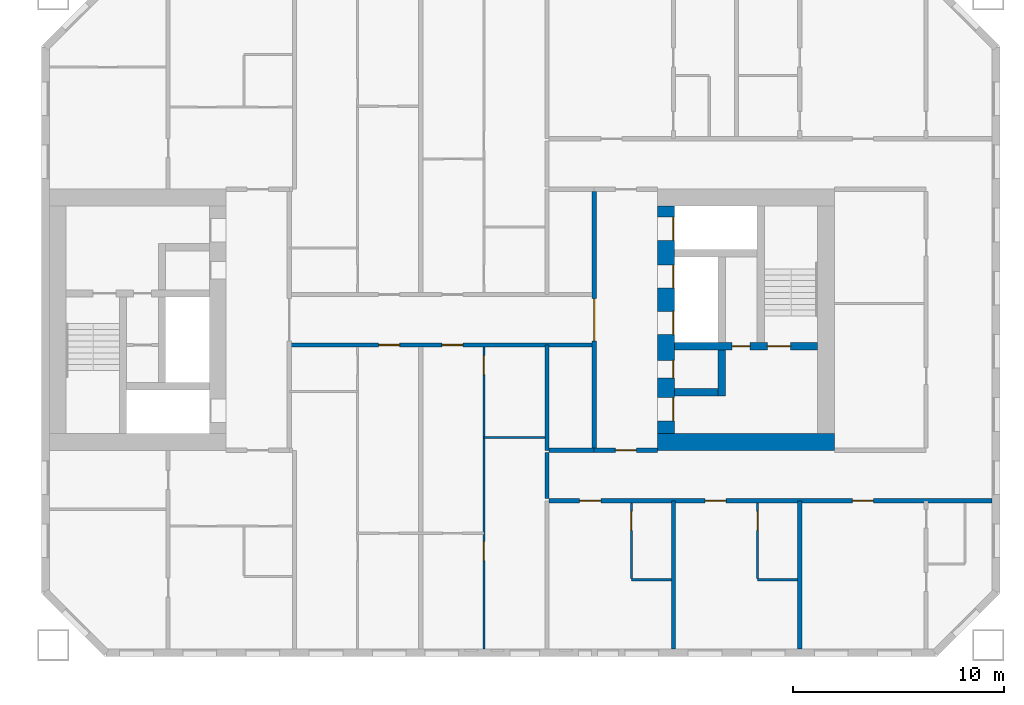
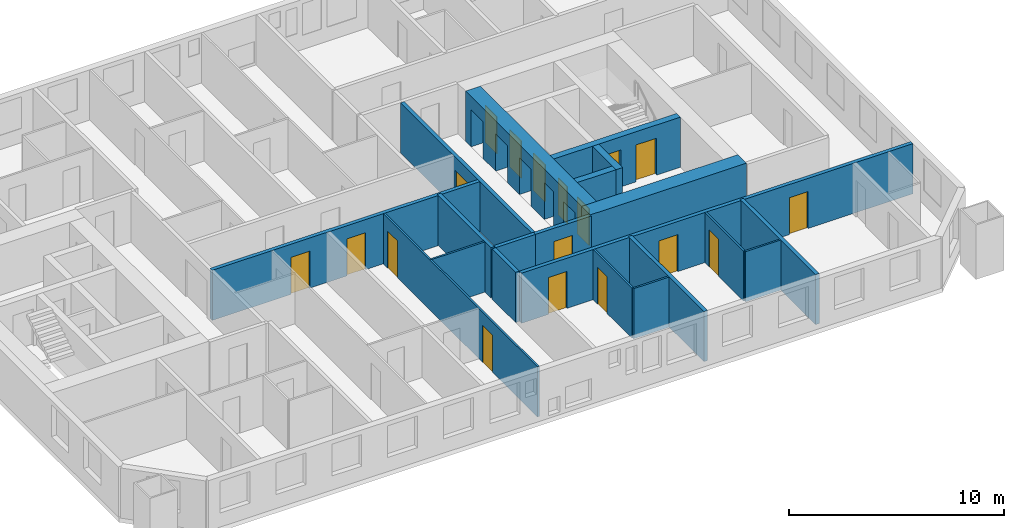
# One storey, part 11 of 16: 20 walls, 18 doors, 18 openings.
"""IFC4 building model written with IfcOpenShell, lengths in metres."""

import ifcopenshell
import ifcopenshell.guid

model = None  # the IFC model being written
_history = None  # IfcOwnerHistory: only IFC2X3 demands one
_inside = {}  # id of a spatial element -> (the spatial element, [elements in it])
_under = {}  # id of a project, library or spatial element -> (it, [spatial elements below it])
_declared = {}  # id of a project -> (the project, [libraries it declares])
_typed = {}  # id of a type object -> (the type object, [elements of that type])
_made_of = {}  # id of a material, layer set ... -> (it, [elements and type objects made of it])


def new_model(schema):
    """Start an empty IFC model of exactly this schema.

    Asked for "IFC4X3", IfcOpenShell would pick the latest addendum, in which some entities
    have other attributes; the version numbers below select the first issue.
    IFC2X3 requires an IfcOwnerHistory on every rooted entity: one is made here for all.
    """
    global model, _history
    if schema == "IFC4X3":
        model = ifcopenshell.file(schema_version=(4, 3, 0, 0))
    else:
        model = ifcopenshell.file(schema=schema)
    _inside.clear()
    _under.clear()
    _declared.clear()
    _typed.clear()
    _made_of.clear()
    _history = None
    if model.schema == "IFC2X3":
        org = make("IfcOrganization", Name="unknown")
        user = make(
            "IfcPersonAndOrganization",
            ThePerson=make("IfcPerson", FamilyName="unknown"),
            TheOrganization=org,
        )
        app = make(
            "IfcApplication",
            ApplicationDeveloper=org,
            Version="unknown",
            ApplicationFullName="unknown",
            ApplicationIdentifier="unknown",
        )
        _history = make(
            "IfcOwnerHistory",
            OwningUser=user,
            OwningApplication=app,
            ChangeAction="ADDED",
            CreationDate=0,
        )
    return model


def make(cls, **values):
    """One entity of the class cls with the attributes given. An attribute that is None is left unset."""
    return model.create_entity(
        cls, **{name: value for name, value in values.items() if value is not None}
    )


def rooted(cls, **values):
    """An entity with a GlobalId (a new one), such as an element, a storey or a relation."""
    return make(cls, GlobalId=ifcopenshell.guid.new(), OwnerHistory=_history, **values)


def si_unit(unit_type, name, prefix=None):
    """IfcSIUnit, for example si_unit("LENGTHUNIT", "METRE", prefix="MILLI")."""
    return make("IfcSIUnit", UnitType=unit_type, Prefix=prefix, Name=name)


def assignment(units):
    """IfcUnitAssignment: the units of a project."""
    return None if units is None else make("IfcUnitAssignment", Units=units)


def point(xyz):
    """IfcCartesianPoint."""
    return None if xyz is None else make("IfcCartesianPoint", Coordinates=xyz)


def direction(xyz):
    """IfcDirection."""
    return None if xyz is None else make("IfcDirection", DirectionRatios=xyz)


def frame(location, z_axis=None, x_axis=None):
    """IfcAxis2Placement3D, a coordinate frame: its origin and axes. An axis left out is left unset."""
    return make(
        "IfcAxis2Placement3D",
        Location=point(location),
        Axis=direction(z_axis),
        RefDirection=direction(x_axis),
    )


def frame_2d(location, x_axis=None):
    """IfcAxis2Placement2D, a coordinate frame in the plane: its origin and x axis."""
    return make(
        "IfcAxis2Placement2D", Location=point(location), RefDirection=direction(x_axis)
    )


def origin():
    """The frame at (0, 0, 0) with its axes left unset."""
    return frame((0.0, 0.0, 0.0))


def place(relative_to, where):
    """IfcLocalPlacement: puts the frame where relative to a parent placement (None: the world)."""
    return make(
        "IfcLocalPlacement", PlacementRelTo=relative_to, RelativePlacement=where
    )


def context(
    kind, dimensions, precision=None, world=None, true_north=None, identifier=None
):
    """IfcGeometricRepresentationContext, for example the 3D "Model" context."""
    return make(
        "IfcGeometricRepresentationContext",
        ContextIdentifier=identifier,
        ContextType=kind,
        CoordinateSpaceDimension=dimensions,
        Precision=precision,
        WorldCoordinateSystem=world,
        TrueNorth=true_north,
    )


def subcontext(parent, identifier, kind, view, scale=None):
    """IfcGeometricRepresentationSubContext, for example "Body" below "Model"."""
    return make(
        "IfcGeometricRepresentationSubContext",
        ContextIdentifier=identifier,
        ContextType=kind,
        ParentContext=parent,
        TargetScale=scale,
        TargetView=view,
    )


def project(units=None, contexts=None):
    """IfcProject with its units and contexts."""
    return rooted(
        "IfcProject",
        Name="project",
        RepresentationContexts=contexts,
        UnitsInContext=assignment(units),
    )


def spatial(cls, under=None, at=None, **own):
    """A site, building, storey or space (cls), placed at a placement, below another one or the project."""
    s = rooted(cls, ObjectPlacement=at, **own)
    if under is not None:
        _under.setdefault(under.id(), (under, []))[1].append(s)
    return s


def profile(cls, at=None, kind="AREA", **sizes):
    """A parametric profile (cls). Its sizes go by their IFC names, for example OverallWidth=200.0."""
    return make(cls, ProfileType=kind, Position=at, **sizes)


def rectangle(**sizes):
    """IfcRectangleProfileDef."""
    return profile("IfcRectangleProfileDef", **sizes)


def extrude(swept, where, along, depth):
    """IfcExtrudedAreaSolid: the profile swept, set in the frame where, extruded along a direction by depth."""
    return make(
        "IfcExtrudedAreaSolid",
        SweptArea=swept,
        Position=where,
        ExtrudedDirection=direction(along),
        Depth=depth,
    )


def shape(context_of_items, identifier, shape_type, items):
    """IfcShapeRepresentation: the items that make up one representation, for example the "Body"."""
    return make(
        "IfcShapeRepresentation",
        ContextOfItems=context_of_items,
        RepresentationIdentifier=identifier,
        RepresentationType=shape_type,
        Items=items,
    )


def material(Name=None, Category=None):
    """IfcMaterial."""
    return make("IfcMaterial", Name=Name, Category=Category)


def layer(
    of_material, thickness, ventilated=None, Name=None, Category=None, Priority=None
):
    """IfcMaterialLayer: one layer of a wall or slab, of a material (None: an air gap)."""
    return make(
        "IfcMaterialLayer",
        Material=of_material,
        LayerThickness=thickness,
        IsVentilated=ventilated,
        Name=Name,
        Category=Category,
        Priority=Priority,
    )


def layer_set(layers, Name=None):
    """IfcMaterialLayerSet."""
    return make("IfcMaterialLayerSet", MaterialLayers=layers, LayerSetName=Name)


def made_of(thing, what):
    """Note that an element or type object is made of a material, layer set ...; save() writes the relation."""
    if what is not None:
        _made_of.setdefault(what.id(), (what, []))[1].append(thing)
    return thing


def type_object(cls, material=None, **own):
    """A type object (cls), such as IfcWallType, which elements share."""
    return made_of(rooted(cls, **own), material)


def element(
    cls,
    number,
    at=None,
    inside=None,
    cuts=None,
    type_object=None,
    material=None,
    context=None,
    identifier="Body",
    shape_type=None,
    held_by="IfcProductDefinitionShape",
    body=None,
    shapes=None,
    **own,
):
    """One element of the class cls, such as IfcWall. Its Tag is "e" and its number.

    at: its placement. inside: the storey or other place that contains it. cuts: it is an
    opening in that element (IfcRelVoidsElement). A single representation is given by context,
    identifier, shape_type and body (its items); several are given by shapes. held_by: the class
    of the entity that holds the representations. save() writes the other relations.
    """
    e = rooted(cls, Tag="e%d" % number, ObjectPlacement=at, **own)
    if body is not None:
        shapes = [shape(context, identifier, shape_type, body)]
    if shapes is not None:
        e.Representation = make(held_by, Representations=shapes)
    if inside is not None:
        _inside.setdefault(inside.id(), (inside, []))[1].append(e)
    if cuts is not None:
        rooted(
            "IfcRelVoidsElement", RelatingBuildingElement=cuts, RelatedOpeningElement=e
        )
    if type_object is not None:
        _typed.setdefault(type_object.id(), (type_object, []))[1].append(e)
    return made_of(e, material)


def fill(opening, filler):
    """IfcRelFillsElement: the door or window that sits in an opening."""
    return rooted(
        "IfcRelFillsElement",
        RelatingOpeningElement=opening,
        RelatedBuildingElement=filler,
    )


def aggregate(whole, parts):
    """IfcRelAggregates: a whole, such as a stair, and the parts it consists of."""
    return rooted("IfcRelAggregates", RelatingObject=whole, RelatedObjects=parts)


def save(model, path):
    """Write the relations noted so far, then the file.

    IfcRelAggregates (storeys below a building ...), IfcRelContainedInSpatialStructure (elements
    in a storey), IfcRelDefinesByType, IfcRelAssociatesMaterial and IfcRelDeclares: one each for
    every whole, place, type object, material and project.
    """
    for whole, parts in _under.values():
        aggregate(whole, parts)
    for where, things in _inside.values():
        rooted(
            "IfcRelContainedInSpatialStructure",
            RelatedElements=things,
            RelatingStructure=where,
        )
    for kind, things in _typed.values():
        rooted("IfcRelDefinesByType", RelatedObjects=things, RelatingType=kind)
    for what, things in _made_of.values():
        rooted("IfcRelAssociatesMaterial", RelatedObjects=things, RelatingMaterial=what)
    for by, libraries in _declared.values():
        rooted("IfcRelDeclares", RelatingContext=by, RelatedDefinitions=libraries)
    model.write(path)


model = new_model("IFC4")

# Units and contexts
model_context = context("Model", 3, precision=1e-05, world=origin(), true_north=direction((0.0, 1.0)))
body_context = subcontext(model_context, "Body", "Model", "MODEL_VIEW")
ifc_project = project(units=[si_unit("LENGTHUNIT", "METRE"), si_unit("AREAUNIT", "SQUARE_METRE"), si_unit("VOLUMEUNIT", "CUBIC_METRE"), si_unit("PLANEANGLEUNIT", "RADIAN"), si_unit("MASSUNIT", "GRAM", prefix="KILO")], contexts=[model_context])

# Site, building, storey
site_placement = place(None, origin())
site = spatial("IfcSite", under=ifc_project, at=site_placement, CompositionType="ELEMENT")
building_placement = place(site_placement, origin())
building = spatial("IfcBuilding", under=site, at=building_placement, Name="Tuart Gate Housing", CompositionType="ELEMENT")
storey_placement = place(building_placement, frame((0.0, 0.0, 59.800048828125)))
storey = spatial("IfcBuildingStorey", under=building, at=storey_placement, Name="L16", CompositionType="ELEMENT", Elevation=59.800048828125)

# Wall, openings, doors
ifc_material_1 = material(Name="Concrete C60", Category="concrete")
ifc_layer_1 = layer(ifc_material_1, 0.35009765625)
ifc_layer_set_1 = layer_set([ifc_layer_1], Name="Core wall 350 C60")
wall_type_1 = type_object("IfcWallType", Name="Core wall 350 C60", PredefinedType="SHEAR", material=ifc_layer_set_1)
wall_1_placement = place(storey_placement, frame((161.0400390625, 68.75, 0.0), z_axis=(0.0, 0.0, 1.0), x_axis=(1.0, 0.0, 0.0)))
wall_1 = element("IfcWall", 1, at=wall_1_placement, inside=storey, type_object=wall_type_1, Name="Core wall BK.2", PredefinedType="SHEAR", context=body_context, shape_type="SweptSolid", body=[
    extrude(rectangle(XDim=6.800048828125, YDim=0.35009765625, at=frame_2d((3.39990234375, 0.0))), origin(), (0.0, 0.0, 1.0), 2.849853515625),
])
opening_1_placement = place(wall_1_placement, frame((4.425048828125, 0.0, 0.0)))
opening_1 = element("IfcOpeningElement", 2, at=opening_1_placement, cuts=wall_1, Name="Opening D813", PredefinedType="OPENING", context=body_context, shape_type="SweptSolid", body=[
    extrude(rectangle(XDim=1.10009765625, YDim=2.10009765625, at=frame_2d((0.550048828125, 1.050048828125))), frame((0.0, 0.18505859375, 0.0), z_axis=(0.0, -1.0, 0.0), x_axis=(1.0, 0.0, 0.0)), (0.0, 0.0, 1.0), 0.3701171875),
])
opening_2_placement = place(wall_1_placement, frame((2.75, 0.0, 0.0)))
opening_2 = element("IfcOpeningElement", 3, at=opening_2_placement, cuts=wall_1, Name="Opening D812", PredefinedType="OPENING", context=body_context, shape_type="SweptSolid", body=[
    extrude(rectangle(XDim=0.85009765625, YDim=2.10009765625, at=frame_2d((0.425048828125, 1.050048828125))), frame((0.0, 0.18505859375, 0.0), z_axis=(0.0, -1.0, 0.0), x_axis=(1.0, 0.0, 0.0)), (0.0, 0.0, 1.0), 0.3701171875),
])
ifc_material_2 = material(Name="Steel fire door", Category="steel")
door_type_1 = type_object("IfcDoorType", Name="Riser door 850 x 2100", OperationType="SINGLE_SWING_LEFT", PredefinedType="DOOR", material=ifc_material_2)
door_1_placement = place(opening_2_placement, origin())
door_1 = element("IfcDoor", 4, at=door_1_placement, inside=storey, type_object=door_type_1, Name="Service room door BK.W1", OperationType="SINGLE_SWING_LEFT", OverallHeight=2.10009765625, OverallWidth=0.85009765625, PredefinedType="DOOR", context=body_context, shape_type="SweptSolid", body=[
    extrude(rectangle(XDim=0.85009765625, YDim=2.10009765625, at=frame_2d((0.425048828125, 1.050048828125))), frame((0.0, 0.02490234375, 0.0), z_axis=(0.0, -1.0, 0.0), x_axis=(1.0, 0.0, 0.0)), (0.0, 0.0, 1.0), 0.050048828125),
])
fill(opening_2, door_1)
ifc_material_3 = material(Name="Steel fire door", Category="steel")
door_type_2 = type_object("IfcDoorType", Name="Stair door 1100 x 2100", OperationType="SINGLE_SWING_LEFT", PredefinedType="DOOR", material=ifc_material_3)
door_2_placement = place(opening_1_placement, origin())
door_2 = element("IfcDoor", 5, at=door_2_placement, inside=storey, type_object=door_type_2, Name="Stair door BK.SD", OperationType="SINGLE_SWING_LEFT", OverallHeight=2.10009765625, OverallWidth=1.10009765625, PredefinedType="DOOR", context=body_context, shape_type="SweptSolid", body=[
    extrude(rectangle(XDim=1.10009765625, YDim=2.10009765625, at=frame_2d((0.550048828125, 1.050048828125))), frame((0.0, 0.02490234375, 0.0), z_axis=(0.0, -1.0, 0.0), x_axis=(1.0, 0.0, 0.0)), (0.0, 0.0, 1.0), 0.050048828125),
])
fill(opening_1, door_2)

# Walls
wall_2_placement = place(storey_placement, frame((161.0400390625, 66.550048828125, 0.0), z_axis=(0.0, 0.0, 1.0), x_axis=(1.0, 0.0, 0.0)))
element("IfcWall", 6, at=wall_2_placement, inside=storey, type_object=wall_type_1, Name="Core wall BK.3", PredefinedType="SHEAR", context=body_context, shape_type="SweptSolid", body=[
    extrude(rectangle(XDim=2.074951171875, YDim=0.35009765625, at=frame_2d((1.03759765625, 0.0))), origin(), (0.0, 0.0, 1.0), 2.849853515625),
])
wall_3_placement = place(storey_placement, frame((163.2900390625, 68.574951171875, 0.0), z_axis=(0.0, 0.0, 1.0), x_axis=(0.0, -1.0, 0.0)))
element("IfcWall", 7, at=wall_3_placement, inside=storey, type_object=wall_type_1, Name="Core wall BK.5", PredefinedType="SHEAR", context=body_context, shape_type="SweptSolid", body=[
    extrude(rectangle(XDim=2.199951171875, YDim=0.35009765625, at=frame_2d((1.10009765625, 0.0))), origin(), (0.0, 0.0, 1.0), 2.849853515625),
])

# Wall, openings, doors
ifc_material_4 = material(Name="Concrete C60", Category="concrete")
ifc_layer_2 = layer(ifc_material_4, 0.800048828125)
ifc_layer_set_2 = layer_set([ifc_layer_2], Name="Core wall 800 C60")
wall_type_2 = type_object("IfcWallType", Name="Core wall 800 C60", PredefinedType="SHEAR", material=ifc_layer_set_2)
wall_4_placement = place(storey_placement, frame((160.639892578125, 75.39990234375, 0.0), z_axis=(0.0, 0.0, 1.0), x_axis=(0.0, -1.0, 0.0)))
wall_4 = element("IfcWall", 8, at=wall_4_placement, inside=storey, type_object=wall_type_2, Name="Core wall BK front", PredefinedType="SHEAR", context=body_context, shape_type="SweptSolid", body=[
    extrude(rectangle(XDim=10.7998046875, YDim=0.800048828125, at=frame_2d((5.39990234375, 0.0))), origin(), (0.0, 0.0, 1.0), 2.849853515625),
])
opening_3_placement = place(wall_4_placement, frame((0.52490234375, 0.0, 0.0)))
opening_3 = element("IfcOpeningElement", 9, at=opening_3_placement, cuts=wall_4, Name="Opening LD-FB2", PredefinedType="OPENING", context=body_context, shape_type="SweptSolid", body=[
    extrude(rectangle(XDim=1.10009765625, YDim=2.10009765625, at=frame_2d((0.550048828125, 1.050048828125))), frame((0.0, 0.409912109375, 0.0), z_axis=(0.0, -1.0, 0.0), x_axis=(1.0, 0.0, 0.0)), (0.0, 0.0, 1.0), 0.820068359375),
])
opening_4_placement = place(wall_4_placement, frame((2.800048828125, 0.0, 0.0)))
opening_4 = element("IfcOpeningElement", 10, at=opening_4_placement, cuts=wall_4, Name="Opening LD-LB3", PredefinedType="OPENING", context=body_context, shape_type="SweptSolid", body=[
    extrude(rectangle(XDim=1.10009765625, YDim=2.10009765625, at=frame_2d((0.550048828125, 1.050048828125))), frame((0.0, 0.409912109375, 0.0), z_axis=(0.0, -1.0, 0.0), x_axis=(1.0, 0.0, 0.0)), (0.0, 0.0, 1.0), 0.820068359375),
])
opening_5_placement = place(wall_4_placement, frame((5.0, 0.0, 0.0)))
opening_5 = element("IfcOpeningElement", 11, at=opening_5_placement, cuts=wall_4, Name="Opening LD-LB4", PredefinedType="OPENING", context=body_context, shape_type="SweptSolid", body=[
    extrude(rectangle(XDim=1.10009765625, YDim=2.10009765625, at=frame_2d((0.550048828125, 1.050048828125))), frame((0.0, 0.409912109375, 0.0), z_axis=(0.0, -1.0, 0.0), x_axis=(1.0, 0.0, 0.0)), (0.0, 0.0, 1.0), 0.820068359375),
])
opening_6_placement = place(wall_4_placement, frame((9.10009765625, 0.0, 0.0)))
opening_6 = element("IfcOpeningElement", 12, at=opening_6_placement, cuts=wall_4, Name="Opening D805", PredefinedType="OPENING", context=body_context, shape_type="SweptSolid", body=[
    extrude(rectangle(XDim=1.10009765625, YDim=2.10009765625, at=frame_2d((0.550048828125, 1.050048828125))), frame((0.0, 0.409912109375, 0.0), z_axis=(0.0, -1.0, 0.0), x_axis=(1.0, 0.0, 0.0)), (0.0, 0.0, 1.0), 0.820068359375),
])
opening_7_placement = place(wall_4_placement, frame((7.324951171875, 0.0, 0.0)))
opening_7 = element("IfcOpeningElement", 13, at=opening_7_placement, cuts=wall_4, Name="Opening D806", PredefinedType="OPENING", context=body_context, shape_type="SweptSolid", body=[
    extrude(rectangle(XDim=0.85009765625, YDim=2.10009765625, at=frame_2d((0.425048828125, 1.050048828125))), frame((0.0, 0.409912109375, 0.0), z_axis=(0.0, -1.0, 0.0), x_axis=(1.0, 0.0, 0.0)), (0.0, 0.0, 1.0), 0.820068359375),
])
ifc_material_5 = material(Name="Stainless steel", Category="steel")
door_type_3 = type_object("IfcDoorType", Name="Landing door 1100 x 2100", OperationType="DOUBLE_DOOR_SLIDING", PredefinedType="DOOR", material=ifc_material_5)
door_3_placement = place(opening_3_placement, origin())
door_3 = element("IfcDoor", 14, at=door_3_placement, inside=storey, type_object=door_type_3, Name="Lift landing door FB2", OperationType="DOUBLE_DOOR_SLIDING", OverallHeight=2.10009765625, OverallWidth=1.10009765625, PredefinedType="DOOR", context=body_context, shape_type="SweptSolid", body=[
    extrude(rectangle(XDim=1.10009765625, YDim=2.10009765625, at=frame_2d((0.550048828125, 1.050048828125))), frame((0.0, 0.38525390625, 0.0), z_axis=(0.0, -1.0, 0.0), x_axis=(1.0, 0.0, 0.0)), (0.0, 0.0, 1.0), 0.050048828125),
])
fill(opening_3, door_3)
door_4_placement = place(opening_4_placement, origin())
door_4 = element("IfcDoor", 15, at=door_4_placement, inside=storey, type_object=door_type_3, Name="Lift landing door LB3", OperationType="DOUBLE_DOOR_SLIDING", OverallHeight=2.10009765625, OverallWidth=1.10009765625, PredefinedType="DOOR", context=body_context, shape_type="SweptSolid", body=[
    extrude(rectangle(XDim=1.10009765625, YDim=2.10009765625, at=frame_2d((0.550048828125, 1.050048828125))), frame((0.0, 0.38525390625, 0.0), z_axis=(0.0, -1.0, 0.0), x_axis=(1.0, 0.0, 0.0)), (0.0, 0.0, 1.0), 0.050048828125),
])
fill(opening_4, door_4)
door_5_placement = place(opening_5_placement, origin())
door_5 = element("IfcDoor", 16, at=door_5_placement, inside=storey, type_object=door_type_3, Name="Lift landing door LB4", OperationType="DOUBLE_DOOR_SLIDING", OverallHeight=2.10009765625, OverallWidth=1.10009765625, PredefinedType="DOOR", context=body_context, shape_type="SweptSolid", body=[
    extrude(rectangle(XDim=1.10009765625, YDim=2.10009765625, at=frame_2d((0.550048828125, 1.050048828125))), frame((0.0, 0.38525390625, 0.0), z_axis=(0.0, -1.0, 0.0), x_axis=(1.0, 0.0, 0.0)), (0.0, 0.0, 1.0), 0.050048828125),
])
fill(opening_5, door_5)
ifc_material_6 = material(Name="Steel fire door", Category="steel")
door_type_4 = type_object("IfcDoorType", Name="Lobby door 1100 x 2100", OperationType="SINGLE_SWING_LEFT", PredefinedType="DOOR", material=ifc_material_6)
door_6_placement = place(opening_6_placement, origin())
door_6 = element("IfcDoor", 17, at=door_6_placement, inside=storey, type_object=door_type_4, Name="Lobby entry door BK.EN", OperationType="SINGLE_SWING_LEFT", OverallHeight=2.10009765625, OverallWidth=1.10009765625, PredefinedType="DOOR", context=body_context, shape_type="SweptSolid", body=[
    extrude(rectangle(XDim=1.10009765625, YDim=2.10009765625, at=frame_2d((0.550048828125, 1.050048828125))), frame((0.0, 0.38525390625, 0.0), z_axis=(0.0, -1.0, 0.0), x_axis=(1.0, 0.0, 0.0)), (0.0, 0.0, 1.0), 0.050048828125),
])
fill(opening_6, door_6)
ifc_material_7 = material(Name="Steel fire door", Category="steel")
door_type_5 = type_object("IfcDoorType", Name="Service door 850 x 2100", OperationType="SINGLE_SWING_LEFT", PredefinedType="DOOR", material=ifc_material_7)
door_7_placement = place(opening_7_placement, origin())
door_7 = element("IfcDoor", 18, at=door_7_placement, inside=storey, type_object=door_type_5, Name="Service room door BK.T1", OperationType="SINGLE_SWING_LEFT", OverallHeight=2.10009765625, OverallWidth=0.85009765625, PredefinedType="DOOR", context=body_context, shape_type="SweptSolid", body=[
    extrude(rectangle(XDim=0.85009765625, YDim=2.10009765625, at=frame_2d((0.425048828125, 1.050048828125))), frame((0.0, 0.38525390625, 0.0), z_axis=(0.0, -1.0, 0.0), x_axis=(1.0, 0.0, 0.0)), (0.0, 0.0, 1.0), 0.050048828125),
])
fill(opening_7, door_7)

# Wall
wall_5_placement = place(storey_placement, frame((160.239990234375, 64.199951171875, 0.0), z_axis=(0.0, 0.0, 1.0), x_axis=(1.0, 0.0, 0.0)))
element("IfcWall", 19, at=wall_5_placement, inside=storey, type_object=wall_type_2, Name="Core wall BK north", PredefinedType="SHEAR", context=body_context, shape_type="SweptSolid", body=[
    extrude(rectangle(XDim=8.39990234375, YDim=0.800048828125, at=frame_2d((4.199951171875, 0.0))), origin(), (0.0, 0.0, 1.0), 2.849853515625),
])

# Wall, openings, doors
ifc_material_8 = material(Name="Concrete masonry 15 MPa", Category="masonry")
ifc_layer_3 = layer(ifc_material_8, 0.199951171875)
ifc_layer_set_3 = layer_set([ifc_layer_3], Name="Corridor wall masonry 200")
wall_type_3 = type_object("IfcWallType", Name="Corridor wall masonry 200", PredefinedType="PARTITIONING", material=ifc_layer_set_3)
wall_6_placement = place(storey_placement, frame((155.10009765625, 61.39990234375, 0.0), z_axis=(0.0, 0.0, 1.0), x_axis=(1.0, 0.0, 0.0)))
wall_6 = element("IfcWall", 20, at=wall_6_placement, inside=storey, type_object=wall_type_3, Name="Corridor wall masonry 200", PredefinedType="PARTITIONING", context=body_context, shape_type="SweptSolid", body=[
    extrude(rectangle(XDim=21.039794921875, YDim=0.199951171875, at=frame_2d((10.52001953125, 0.0))), origin(), (0.0, 0.0, 1.0), 2.849853515625),
])
opening_8_placement = place(wall_6_placement, frame((1.449951171875, 0.0, 0.0)))
opening_8 = element("IfcOpeningElement", 21, at=opening_8_placement, cuts=wall_6, Name="Opening D820", PredefinedType="OPENING", context=body_context, shape_type="SweptSolid", body=[
    extrude(rectangle(XDim=1.0, YDim=2.10009765625, at=frame_2d((0.5, 1.050048828125))), frame((0.0, 0.10986328125, 0.0), z_axis=(0.0, -1.0, 0.0), x_axis=(1.0, 0.0, 0.0)), (0.0, 0.0, 1.0), 0.219970703125),
])
opening_9_placement = place(wall_6_placement, frame((7.39990234375, 0.0, 0.0)))
opening_9 = element("IfcOpeningElement", 22, at=opening_9_placement, cuts=wall_6, Name="Opening D821", PredefinedType="OPENING", context=body_context, shape_type="SweptSolid", body=[
    extrude(rectangle(XDim=1.0, YDim=2.10009765625, at=frame_2d((0.5, 1.050048828125))), frame((0.0, 0.10986328125, 0.0), z_axis=(0.0, -1.0, 0.0), x_axis=(1.0, 0.0, 0.0)), (0.0, 0.0, 1.0), 0.219970703125),
])
opening_10_placement = place(wall_6_placement, frame((14.39990234375, 0.0, 0.0)))
opening_10 = element("IfcOpeningElement", 23, at=opening_10_placement, cuts=wall_6, Name="Opening D822", PredefinedType="OPENING", context=body_context, shape_type="SweptSolid", body=[
    extrude(rectangle(XDim=1.0, YDim=2.10009765625, at=frame_2d((0.5, 1.050048828125))), frame((0.0, 0.10986328125, 0.0), z_axis=(0.0, -1.0, 0.0), x_axis=(1.0, 0.0, 0.0)), (0.0, 0.0, 1.0), 0.219970703125),
])
ifc_material_9 = material(Name="Timber door leaf in steel frame", Category="steel")
door_type_6 = type_object("IfcDoorType", Name="Flat entrance door 1000", OperationType="SINGLE_SWING_LEFT", PredefinedType="DOOR", material=ifc_material_9)
door_8_placement = place(opening_8_placement, frame((1.0, 0.0, 0.0), z_axis=(0.0, 0.0, 1.0), x_axis=(-1.0, 0.0, 0.0)))
door_8 = element("IfcDoor", 24, at=door_8_placement, inside=storey, type_object=door_type_6, Name="Flat entrance door", OperationType="SINGLE_SWING_LEFT", OverallHeight=2.10009765625, OverallWidth=1.0, PredefinedType="DOOR", context=body_context, shape_type="SweptSolid", body=[
    extrude(rectangle(XDim=1.0, YDim=2.10009765625, at=frame_2d((0.5, 1.050048828125))), frame((0.0, 0.025146484375, 0.0), z_axis=(0.0, -1.0, 0.0), x_axis=(1.0, 0.0, 0.0)), (0.0, 0.0, 1.0), 0.050048828125),
])
fill(opening_8, door_8)
ifc_material_10 = material(Name="Timber door leaf in steel frame", Category="steel")
door_type_7 = type_object("IfcDoorType", Name="Flat entrance door 1000 RH", OperationType="SINGLE_SWING_RIGHT", PredefinedType="DOOR", material=ifc_material_10)
door_9_placement = place(opening_9_placement, frame((1.0, 0.0, 0.0), z_axis=(0.0, 0.0, 1.0), x_axis=(-1.0, 0.0, 0.0)))
door_9 = element("IfcDoor", 25, at=door_9_placement, inside=storey, type_object=door_type_7, Name="Flat entrance door", OperationType="SINGLE_SWING_RIGHT", OverallHeight=2.10009765625, OverallWidth=1.0, PredefinedType="DOOR", context=body_context, shape_type="SweptSolid", body=[
    extrude(rectangle(XDim=1.0, YDim=2.10009765625, at=frame_2d((0.5, 1.050048828125))), frame((0.0, 0.025146484375, 0.0), z_axis=(0.0, -1.0, 0.0), x_axis=(1.0, 0.0, 0.0)), (0.0, 0.0, 1.0), 0.050048828125),
])
fill(opening_9, door_9)
door_10_placement = place(opening_10_placement, frame((1.0, 0.0, 0.0), z_axis=(0.0, 0.0, 1.0), x_axis=(-1.0, 0.0, 0.0)))
door_10 = element("IfcDoor", 26, at=door_10_placement, inside=storey, type_object=door_type_7, Name="Flat entrance door", OperationType="SINGLE_SWING_RIGHT", OverallHeight=2.10009765625, OverallWidth=1.0, PredefinedType="DOOR", context=body_context, shape_type="SweptSolid", body=[
    extrude(rectangle(XDim=1.0, YDim=2.10009765625, at=frame_2d((0.5, 1.050048828125))), frame((0.0, 0.025146484375, 0.0), z_axis=(0.0, -1.0, 0.0), x_axis=(1.0, 0.0, 0.0)), (0.0, 0.0, 1.0), 0.050048828125),
])
fill(opening_10, door_10)

# Wall
wall_7_placement = place(storey_placement, frame((155.10009765625, 63.800048828125, 0.0), z_axis=(0.0, 0.0, 1.0), x_axis=(1.0, 0.0, 0.0)))
element("IfcWall", 27, at=wall_7_placement, inside=storey, type_object=wall_type_3, Name="Corridor wall masonry 200", PredefinedType="PARTITIONING", context=body_context, shape_type="SweptSolid", body=[
    extrude(rectangle(XDim=2.139892578125, YDim=0.199951171875, at=frame_2d((1.06982421875, 0.0))), origin(), (0.0, 0.0, 1.0), 2.849853515625),
])

# Wall, openings, doors
wall_8_placement = place(storey_placement, frame((142.760009765625, 68.800048828125, 0.0), z_axis=(0.0, 0.0, 1.0), x_axis=(1.0, 0.0, 0.0)))
wall_8 = element("IfcWall", 28, at=wall_8_placement, inside=storey, type_object=wall_type_3, Name="Corridor wall masonry 200", PredefinedType="PARTITIONING", context=body_context, shape_type="SweptSolid", body=[
    extrude(rectangle(XDim=14.47998046875, YDim=0.199951171875, at=frame_2d((7.239990234375, 0.0))), origin(), (0.0, 0.0, 1.0), 2.849853515625),
])
opening_11_placement = place(wall_8_placement, frame((4.239990234375, 0.0, 0.0)))
opening_11 = element("IfcOpeningElement", 29, at=opening_11_placement, cuts=wall_8, Name="Opening D810", PredefinedType="OPENING", context=body_context, shape_type="SweptSolid", body=[
    extrude(rectangle(XDim=1.0, YDim=2.10009765625, at=frame_2d((0.5, 1.050048828125))), frame((0.0, 0.10986328125, 0.0), z_axis=(0.0, -1.0, 0.0), x_axis=(1.0, 0.0, 0.0)), (0.0, 0.0, 1.0), 0.219970703125),
])
opening_12_placement = place(wall_8_placement, frame((7.239990234375, 0.0, 0.0)))
opening_12 = element("IfcOpeningElement", 30, at=opening_12_placement, cuts=wall_8, Name="Opening D811", PredefinedType="OPENING", context=body_context, shape_type="SweptSolid", body=[
    extrude(rectangle(XDim=1.0, YDim=2.10009765625, at=frame_2d((0.5, 1.050048828125))), frame((0.0, 0.10986328125, 0.0), z_axis=(0.0, -1.0, 0.0), x_axis=(1.0, 0.0, 0.0)), (0.0, 0.0, 1.0), 0.219970703125),
])
door_11_placement = place(opening_11_placement, frame((1.0, 0.0, 0.0), z_axis=(0.0, 0.0, 1.0), x_axis=(-1.0, 0.0, 0.0)))
door_11 = element("IfcDoor", 31, at=door_11_placement, inside=storey, type_object=door_type_7, Name="Flat entrance door", OperationType="SINGLE_SWING_RIGHT", OverallHeight=2.10009765625, OverallWidth=1.0, PredefinedType="DOOR", context=body_context, shape_type="SweptSolid", body=[
    extrude(rectangle(XDim=1.0, YDim=2.10009765625, at=frame_2d((0.5, 1.050048828125))), frame((0.0, 0.025146484375, 0.0), z_axis=(0.0, -1.0, 0.0), x_axis=(1.0, 0.0, 0.0)), (0.0, 0.0, 1.0), 0.050048828125),
])
fill(opening_11, door_11)
door_12_placement = place(opening_12_placement, frame((1.0, 0.0, 0.0), z_axis=(0.0, 0.0, 1.0), x_axis=(-1.0, 0.0, 0.0)))
door_12 = element("IfcDoor", 32, at=door_12_placement, inside=storey, type_object=door_type_7, Name="Flat entrance door", OperationType="SINGLE_SWING_RIGHT", OverallHeight=2.10009765625, OverallWidth=1.0, PredefinedType="DOOR", context=body_context, shape_type="SweptSolid", body=[
    extrude(rectangle(XDim=1.0, YDim=2.10009765625, at=frame_2d((0.5, 1.050048828125))), frame((0.0, 0.025146484375, 0.0), z_axis=(0.0, -1.0, 0.0), x_axis=(1.0, 0.0, 0.0)), (0.0, 0.0, 1.0), 0.050048828125),
])
fill(opening_12, door_12)

# Wall
wall_9_placement = place(storey_placement, frame((155.0, 61.5, 0.0), z_axis=(0.0, 0.0, 1.0), x_axis=(0.0, 1.0, 0.0)))
element("IfcWall", 33, at=wall_9_placement, inside=storey, type_object=wall_type_3, Name="Corridor wall masonry 200", PredefinedType="PARTITIONING", context=body_context, shape_type="SweptSolid", body=[
    extrude(rectangle(XDim=2.199951171875, YDim=0.199951171875, at=frame_2d((1.10009765625, 0.0))), origin(), (0.0, 0.0, 1.0), 2.849853515625),
])

# Wall, opening, door
ifc_material_11 = material(Name="Concrete masonry 15 MPa", Category="masonry")
ifc_layer_4 = layer(ifc_material_11, 0.199951171875)
ifc_layer_set_4 = layer_set([ifc_layer_4], Name="Enclosure wall masonry 200")
wall_type_4 = type_object("IfcWallType", Name="Enclosure wall masonry 200", PredefinedType="PARTITIONING", material=ifc_layer_set_4)
wall_10_placement = place(storey_placement, frame((157.239990234375, 63.800048828125, 0.0), z_axis=(0.0, 0.0, 1.0), x_axis=(1.0, 0.0, 0.0)))
wall_10 = element("IfcWall", 34, at=wall_10_placement, inside=storey, type_object=wall_type_4, Name="Enclosure wall masonry 200", PredefinedType="PARTITIONING", context=body_context, shape_type="SweptSolid", body=[
    extrude(rectangle(XDim=3.0, YDim=0.199951171875, at=frame_2d((1.5, 0.0))), origin(), (0.0, 0.0, 1.0), 2.849853515625),
])
opening_13_placement = place(wall_10_placement, frame((1.0, 0.0, 0.0)))
opening_13 = element("IfcOpeningElement", 35, at=opening_13_placement, cuts=wall_10, Name="Opening D815", PredefinedType="OPENING", context=body_context, shape_type="SweptSolid", body=[
    extrude(rectangle(XDim=1.0, YDim=2.10009765625, at=frame_2d((0.5, 1.050048828125))), frame((0.0, 0.10986328125, 0.0), z_axis=(0.0, -1.0, 0.0), x_axis=(1.0, 0.0, 0.0)), (0.0, 0.0, 1.0), 0.219970703125),
])
ifc_material_12 = material(Name="Timber door leaf in steel frame", Category="steel")
door_type_8 = type_object("IfcDoorType", Name="Fire door 1000 RH", OperationType="SINGLE_SWING_RIGHT", PredefinedType="DOOR", material=ifc_material_12)
door_13_placement = place(opening_13_placement, frame((1.0, 0.0, 0.0), z_axis=(0.0, 0.0, 1.0), x_axis=(-1.0, 0.0, 0.0)))
door_13 = element("IfcDoor", 36, at=door_13_placement, inside=storey, type_object=door_type_8, Name="Fire door", OperationType="SINGLE_SWING_RIGHT", OverallHeight=2.10009765625, OverallWidth=1.0, PredefinedType="DOOR", context=body_context, shape_type="SweptSolid", body=[
    extrude(rectangle(XDim=1.0, YDim=2.10009765625, at=frame_2d((0.5, 1.050048828125))), frame((0.0, 0.025146484375, 0.0), z_axis=(0.0, -1.0, 0.0), x_axis=(1.0, 0.0, 0.0)), (0.0, 0.0, 1.0), 0.050048828125),
])
fill(opening_13, door_13)

ifc_material_13 = material(Name="Plasterboard partition")
ifc_layer_5 = layer(ifc_material_13, 0.199951171875)
ifc_layer_set_5 = layer_set([ifc_layer_5], Name="Lobby wall 200")
wall_type_5 = type_object("IfcWallType", Name="Lobby wall 200", PredefinedType="PARTITIONING", material=ifc_layer_set_5)
wall_11_placement = place(storey_placement, frame((157.239990234375, 63.89990234375, 0.0), z_axis=(0.0, 0.0, 1.0), x_axis=(0.0, 1.0, 0.0)))
wall_11 = element("IfcWall", 37, at=wall_11_placement, inside=storey, type_object=wall_type_5, Name="Lift lobby wall BK", PredefinedType="PARTITIONING", context=body_context, shape_type="SweptSolid", body=[
    extrude(rectangle(XDim=12.2001953125, YDim=0.199951171875, at=frame_2d((6.10009765625, 0.0))), origin(), (0.0, 0.0, 1.0), 2.849853515625),
])
opening_14_placement = place(wall_11_placement, frame((5.10009765625, 0.0, 0.0)))
opening_14 = element("IfcOpeningElement", 38, at=opening_14_placement, cuts=wall_11, Name="Opening D804", PredefinedType="OPENING", context=body_context, shape_type="SweptSolid", body=[
    extrude(rectangle(XDim=2.0, YDim=2.10009765625, at=frame_2d((1.0, 1.050048828125))), frame((0.0, 0.10986328125, 0.0), z_axis=(0.0, -1.0, 0.0), x_axis=(1.0, 0.0, 0.0)), (0.0, 0.0, 1.0), 0.219970703125),
])
ifc_material_14 = material(Name="Steel fire door", Category="steel")
door_type_9 = type_object("IfcDoorType", Name="Smoke door 2000 x 2100", OperationType="DOUBLE_DOOR_SINGLE_SWING", PredefinedType="DOOR", material=ifc_material_14)
door_14_placement = place(opening_14_placement, frame((2.0, 0.0, 0.0), z_axis=(0.0, 0.0, 1.0), x_axis=(-1.0, 0.0, 0.0)))
door_14 = element("IfcDoor", 39, at=door_14_placement, inside=storey, type_object=door_type_9, Name="Lift lobby smoke door BK", OperationType="DOUBLE_DOOR_SINGLE_SWING", OverallHeight=2.10009765625, OverallWidth=2.0, PredefinedType="DOOR", context=body_context, shape_type="SweptSolid", body=[
    extrude(rectangle(XDim=2.0, YDim=2.10009765625, at=frame_2d((1.0, 1.050048828125))), frame((0.0, 0.025146484375, 0.0), z_axis=(0.0, -1.0, 0.0), x_axis=(1.0, 0.0, 0.0)), (0.0, 0.0, 1.0), 0.050048828125),
])
fill(opening_14, door_14)

# Walls
ifc_material_15 = material(Name="Gypsum board on steel studs", Category="steel")
ifc_layer_6 = layer(ifc_material_15, 0.10009765625)
ifc_layer_set_6 = layer_set([ifc_layer_6], Name="Partition 100")
wall_type_6 = type_object("IfcWallType", Name="Partition 100", PredefinedType="PARTITIONING", material=ifc_layer_set_6)
for number, where, z_axis, x_axis, name in (
    (40, (159.0, 57.64990234375, 0.0), (0.0, 0.0, 1.0), (1.0, 0.0, 0.0), "Partition 100"),
    (41, (165.0, 57.64990234375, 0.0), (0.0, 0.0, 1.0), (1.0, 0.0, 0.0), "Partition 100"),
):
    element("IfcWall", number, at=place(storey_placement, frame(where, z_axis=z_axis, x_axis=x_axis)), inside=storey, type_object=wall_type_6, Name=name, PredefinedType="PARTITIONING", context=body_context, shape_type="SweptSolid", body=[
        extrude(rectangle(XDim=1.89990234375, YDim=0.10009765625, at=frame_2d((0.949951171875, 0.0))), origin(), (0.0, 0.0, 1.0), 2.849853515625),
    ])
wall_12_placement = place(storey_placement, frame((152.0, 64.39990234375, 0.0), z_axis=(0.0, 0.0, 1.0), x_axis=(1.0, 0.0, 0.0)))
element("IfcWall", 42, at=wall_12_placement, inside=storey, type_object=wall_type_6, Name="Partition 100", PredefinedType="PARTITIONING", context=body_context, shape_type="SweptSolid", body=[
    extrude(rectangle(XDim=2.89990234375, YDim=0.10009765625, at=frame_2d((1.449951171875, 0.0))), origin(), (0.0, 0.0, 1.0), 2.849853515625),
])

# Wall, openings, doors
wall_13_placement = place(storey_placement, frame((152.0, 54.360107421875, 0.0), z_axis=(0.0, 0.0, 1.0), x_axis=(0.0, 1.0, 0.0)))
wall_13 = element("IfcWall", 43, at=wall_13_placement, inside=storey, type_object=wall_type_6, Name="Partition 100", PredefinedType="PARTITIONING", context=body_context, shape_type="SweptSolid", body=[
    extrude(rectangle(XDim=14.33984375, YDim=0.10009765625, at=frame_2d((7.169921875, 0.0))), origin(), (0.0, 0.0, 1.0), 2.849853515625),
])
opening_15_placement = place(wall_13_placement, frame((4.199951171875, 0.0, 0.0)))
opening_15 = element("IfcOpeningElement", 44, at=opening_15_placement, cuts=wall_13, Name="Opening D819", PredefinedType="OPENING", context=body_context, shape_type="SweptSolid", body=[
    extrude(rectangle(XDim=0.89990234375, YDim=2.10009765625, at=frame_2d((0.449951171875, 1.050048828125))), frame((0.0, 0.06005859375, 0.0), z_axis=(0.0, -1.0, 0.0), x_axis=(1.0, 0.0, 0.0)), (0.0, 0.0, 1.0), 0.1201171875),
])
opening_16_placement = place(wall_13_placement, frame((13.0400390625, 0.0, 0.0)))
opening_16 = element("IfcOpeningElement", 45, at=opening_16_placement, cuts=wall_13, Name="Opening D818", PredefinedType="OPENING", context=body_context, shape_type="SweptSolid", body=[
    extrude(rectangle(XDim=0.89990234375, YDim=2.10009765625, at=frame_2d((0.449951171875, 1.050048828125))), frame((0.0, 0.06005859375, 0.0), z_axis=(0.0, -1.0, 0.0), x_axis=(1.0, 0.0, 0.0)), (0.0, 0.0, 1.0), 0.1201171875),
])
ifc_material_16 = material(Name="Timber door leaf in steel frame", Category="steel")
door_type_10 = type_object("IfcDoorType", Name="Bathroom door 900", OperationType="SINGLE_SWING_LEFT", PredefinedType="DOOR", material=ifc_material_16)
door_15_placement = place(opening_16_placement, frame((0.89990234375, 0.0, 0.0), z_axis=(0.0, 0.0, 1.0), x_axis=(-1.0, 0.0, 0.0)))
door_15 = element("IfcDoor", 46, at=door_15_placement, inside=storey, type_object=door_type_10, Name="Bathroom door", OperationType="SINGLE_SWING_LEFT", OverallHeight=2.10009765625, OverallWidth=0.89990234375, PredefinedType="DOOR", context=body_context, shape_type="SweptSolid", body=[
    extrude(rectangle(XDim=0.89990234375, YDim=2.10009765625, at=frame_2d((0.449951171875, 1.050048828125))), frame((0.0, 0.025146484375, 0.0), z_axis=(0.0, -1.0, 0.0), x_axis=(1.0, 0.0, 0.0)), (0.0, 0.0, 1.0), 0.050048828125),
])
fill(opening_16, door_15)
ifc_material_17 = material(Name="Timber door leaf in steel frame", Category="steel")
door_type_11 = type_object("IfcDoorType", Name="Internal door 900 RH", OperationType="SINGLE_SWING_RIGHT", PredefinedType="DOOR", material=ifc_material_17)
door_16_placement = place(opening_15_placement, frame((0.89990234375, 0.0, 0.0), z_axis=(0.0, 0.0, 1.0), x_axis=(-1.0, 0.0, 0.0)))
door_16 = element("IfcDoor", 47, at=door_16_placement, inside=storey, type_object=door_type_11, Name="Internal door", OperationType="SINGLE_SWING_RIGHT", OverallHeight=2.10009765625, OverallWidth=0.89990234375, PredefinedType="DOOR", context=body_context, shape_type="SweptSolid", body=[
    extrude(rectangle(XDim=0.89990234375, YDim=2.10009765625, at=frame_2d((0.449951171875, 1.050048828125))), frame((0.0, 0.025146484375, 0.0), z_axis=(0.0, -1.0, 0.0), x_axis=(1.0, 0.0, 0.0)), (0.0, 0.0, 1.0), 0.050048828125),
])
fill(opening_15, door_16)

# Wall, opening, door
wall_14_placement = place(storey_placement, frame((159.0, 57.699951171875, 0.0), z_axis=(0.0, 0.0, 1.0), x_axis=(0.0, 1.0, 0.0)))
wall_14 = element("IfcWall", 48, at=wall_14_placement, inside=storey, type_object=wall_type_6, Name="Partition 100", PredefinedType="PARTITIONING", context=body_context, shape_type="SweptSolid", body=[
    extrude(rectangle(XDim=3.60009765625, YDim=0.10009765625, at=frame_2d((1.800048828125, 0.0))), origin(), (0.0, 0.0, 1.0), 2.849853515625),
])
opening_17_placement = place(wall_14_placement, frame((2.300048828125, 0.0, 0.0)))
opening_17 = element("IfcOpeningElement", 49, at=opening_17_placement, cuts=wall_14, Name="Opening D827", PredefinedType="OPENING", context=body_context, shape_type="SweptSolid", body=[
    extrude(rectangle(XDim=0.89990234375, YDim=2.10009765625, at=frame_2d((0.449951171875, 1.050048828125))), frame((0.0, 0.06005859375, 0.0), z_axis=(0.0, -1.0, 0.0), x_axis=(1.0, 0.0, 0.0)), (0.0, 0.0, 1.0), 0.1201171875),
])
door_17_placement = place(opening_17_placement, frame((0.89990234375, 0.0, 0.0), z_axis=(0.0, 0.0, 1.0), x_axis=(-1.0, 0.0, 0.0)))
door_17 = element("IfcDoor", 50, at=door_17_placement, inside=storey, type_object=door_type_10, Name="Bathroom door", OperationType="SINGLE_SWING_LEFT", OverallHeight=2.10009765625, OverallWidth=0.89990234375, PredefinedType="DOOR", context=body_context, shape_type="SweptSolid", body=[
    extrude(rectangle(XDim=0.89990234375, YDim=2.10009765625, at=frame_2d((0.449951171875, 1.050048828125))), frame((0.0, 0.025146484375, 0.0), z_axis=(0.0, -1.0, 0.0), x_axis=(1.0, 0.0, 0.0)), (0.0, 0.0, 1.0), 0.050048828125),
])
fill(opening_17, door_17)

wall_15_placement = place(storey_placement, frame((165.0, 57.699951171875, 0.0), z_axis=(0.0, 0.0, 1.0), x_axis=(0.0, 1.0, 0.0)))
wall_15 = element("IfcWall", 51, at=wall_15_placement, inside=storey, type_object=wall_type_6, Name="Partition 100", PredefinedType="PARTITIONING", context=body_context, shape_type="SweptSolid", body=[
    extrude(rectangle(XDim=3.60009765625, YDim=0.10009765625, at=frame_2d((1.800048828125, 0.0))), origin(), (0.0, 0.0, 1.0), 2.849853515625),
])
opening_18_placement = place(wall_15_placement, frame((2.300048828125, 0.0, 0.0)))
opening_18 = element("IfcOpeningElement", 52, at=opening_18_placement, cuts=wall_15, Name="Opening D828", PredefinedType="OPENING", context=body_context, shape_type="SweptSolid", body=[
    extrude(rectangle(XDim=0.89990234375, YDim=2.10009765625, at=frame_2d((0.449951171875, 1.050048828125))), frame((0.0, 0.06005859375, 0.0), z_axis=(0.0, -1.0, 0.0), x_axis=(1.0, 0.0, 0.0)), (0.0, 0.0, 1.0), 0.1201171875),
])
door_18_placement = place(opening_18_placement, frame((0.89990234375, 0.0, 0.0), z_axis=(0.0, 0.0, 1.0), x_axis=(-1.0, 0.0, 0.0)))
door_18 = element("IfcDoor", 53, at=door_18_placement, inside=storey, type_object=door_type_10, Name="Bathroom door", OperationType="SINGLE_SWING_LEFT", OverallHeight=2.10009765625, OverallWidth=0.89990234375, PredefinedType="DOOR", context=body_context, shape_type="SweptSolid", body=[
    extrude(rectangle(XDim=0.89990234375, YDim=2.10009765625, at=frame_2d((0.449951171875, 1.050048828125))), frame((0.0, 0.025146484375, 0.0), z_axis=(0.0, -1.0, 0.0), x_axis=(1.0, 0.0, 0.0)), (0.0, 0.0, 1.0), 0.050048828125),
])
fill(opening_18, door_18)

# Walls
ifc_material_18 = material(Name="Concrete C40", Category="concrete")
ifc_layer_7 = layer(ifc_material_18, 0.199951171875)
ifc_layer_set_7 = layer_set([ifc_layer_7], Name="Party wall concrete C40 200")
wall_type_7 = type_object("IfcWallType", Name="Party wall concrete C40 200", PredefinedType="SOLIDWALL", material=ifc_layer_set_7)
wall_16_placement = place(storey_placement, frame((155.0, 63.800048828125, 0.0), z_axis=(0.0, 0.0, 1.0), x_axis=(0.0, 1.0, 0.0)))
element("IfcWall", 54, at=wall_16_placement, inside=storey, type_object=wall_type_7, Name="Party wall concrete C40 200", PredefinedType="SOLIDWALL", context=body_context, shape_type="SweptSolid", body=[
    extrude(rectangle(XDim=5.0, YDim=0.199951171875, at=frame_2d((2.5, 0.0))), origin(), (0.0, 0.0, 1.0), 2.849853515625),
])
for number, where, z_axis, x_axis, name in (
    (55, (161.0, 54.360107421875, 0.0), (0.0, 0.0, 1.0), (0.0, 1.0, 0.0), "Party wall concrete C40 200"),
    (56, (167.0, 54.360107421875, 0.0), (0.0, 0.0, 1.0), (0.0, 1.0, 0.0), "Party wall concrete C40 200"),
):
    element("IfcWall", number, at=place(storey_placement, frame(where, z_axis=z_axis, x_axis=x_axis)), inside=storey, type_object=wall_type_7, Name=name, PredefinedType="SOLIDWALL", context=body_context, shape_type="SweptSolid", body=[
        extrude(rectangle(XDim=7.039794921875, YDim=0.199951171875, at=frame_2d((3.52001953125, 0.0))), origin(), (0.0, 0.0, 1.0), 2.849853515625),
    ])

save(model, "model.ifc")
